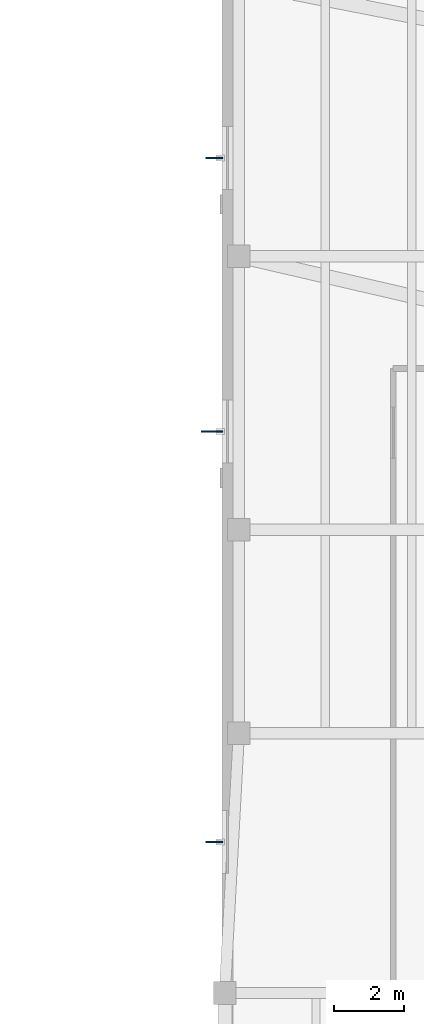
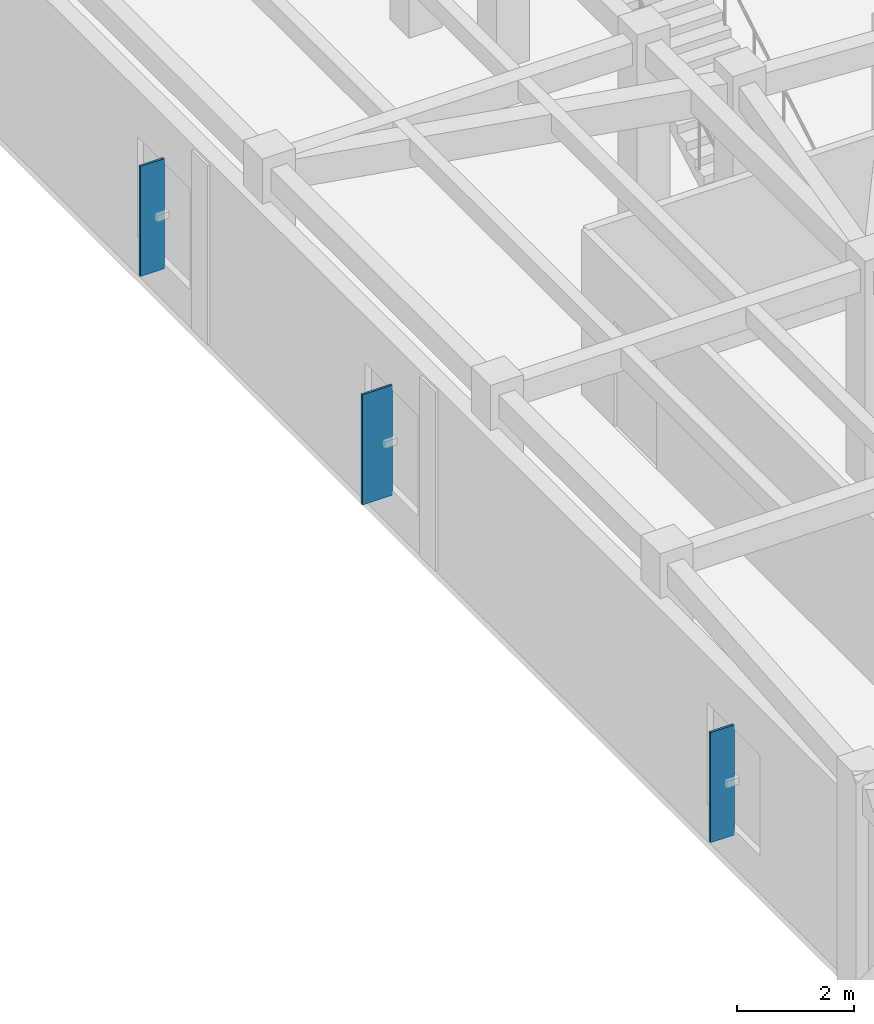
# One storey, part 79 of 105: 3 plates.
"""IFC4 building model written with IfcOpenShell, lengths in metres."""

from ifc_helpers import new_model, si_unit, direction, frame, origin, origin_2d, place, context, subcontext, project, spatial, rectangle, extrude, material, layer, layer_set, type_object, element, save


model = new_model("IFC4")

# Units and contexts
model_context = context("Model", 3, precision=1e-05, world=origin(), true_north=direction((0.0, 1.0)))
body_context = subcontext(model_context, "Body", "Model", "MODEL_VIEW")
ifc_project = project(units=[si_unit("LENGTHUNIT", "METRE"), si_unit("AREAUNIT", "SQUARE_METRE"), si_unit("VOLUMEUNIT", "CUBIC_METRE"), si_unit("PLANEANGLEUNIT", "RADIAN"), si_unit("MASSUNIT", "GRAM", prefix="KILO")], contexts=[model_context])

# Site, building, storey
site_placement = place(None, origin())
site = spatial("IfcSite", under=ifc_project, at=site_placement, CompositionType="ELEMENT")
building_placement = place(site_placement, origin())
building = spatial("IfcBuilding", under=site, at=building_placement, Name="Pelvatis Terrace Science Centre", CompositionType="ELEMENT")
storey_placement = place(building_placement, frame((0.0, 0.0, 10.199951171875)))
storey = spatial("IfcBuildingStorey", under=building, at=storey_placement, Name="L02", CompositionType="ELEMENT", Elevation=10.199951171875)

# Plates
ifc_material_1 = material(Name="Perforated architectural bronze brise-soleil fin", Category="aluminium")
ifc_layer_1 = layer(ifc_material_1, 3.10009765625)
ifc_layer_set_1 = layer_set([ifc_layer_1], Name="Perforated architectural bronze brise-soleil fin")
plate_type_1 = type_object("IfcPlateType", Name="PLT-FIN-W480", PredefinedType="SHEET", material=ifc_layer_set_1)
for number, where, z_axis, x_axis, name in (
    (1, (140.094970703125, 37.89990234375, 0.68017578125), (0.0, 0.0, 1.0), (1.0, 0.0, 0.0), "West bronze brise-soleil fin 085"),
    (2, (140.094970703125, 57.39990234375, 0.68017578125), (0.0, 0.0, 1.0), (1.0, 0.0, 0.0), "West bronze brise-soleil fin 087"),
):
    element("IfcPlate", number, at=place(storey_placement, frame(where, z_axis=z_axis, x_axis=x_axis)), inside=storey, type_object=plate_type_1, Name=name, PredefinedType="SHEET", context=body_context, shape_type="SweptSolid", body=[
        extrude(rectangle(XDim=0.47998046875, YDim=0.044921875, at=origin_2d()), origin(), (0.0, 0.0, 1.0), 2.300048828125),
    ])
ifc_material_2 = material(Name="Perforated architectural bronze brise-soleil fin", Category="aluminium")
ifc_layer_2 = layer(ifc_material_2, 3.39990234375)
ifc_layer_set_2 = layer_set([ifc_layer_2], Name="Perforated architectural bronze brise-soleil fin")
plate_type_2 = type_object("IfcPlateType", Name="PLT-FIN-W600", PredefinedType="SHEET", material=ifc_layer_set_2)
plate_placement = place(storey_placement, frame((140.034912109375, 49.60009765625, 0.68017578125), z_axis=(0.0, 0.0, 1.0), x_axis=(1.0, 0.0, 0.0)))
element("IfcPlate", 3, at=plate_placement, inside=storey, type_object=plate_type_2, Name="West bronze brise-soleil fin 086", PredefinedType="SHEET", context=body_context, shape_type="SweptSolid", body=[
    extrude(rectangle(XDim=0.60009765625, YDim=0.044921875, at=origin_2d()), origin(), (0.0, 0.0, 1.0), 2.300048828125),
])

save(model, "model.ifc")
